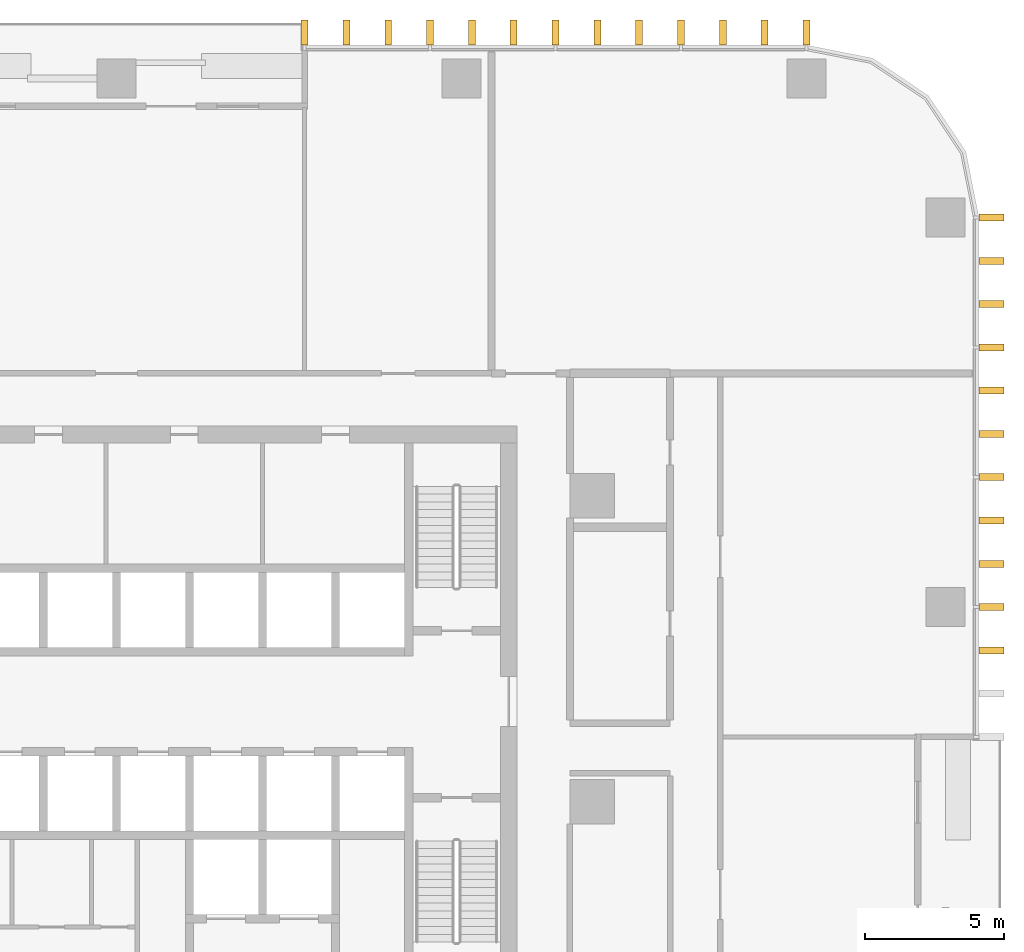
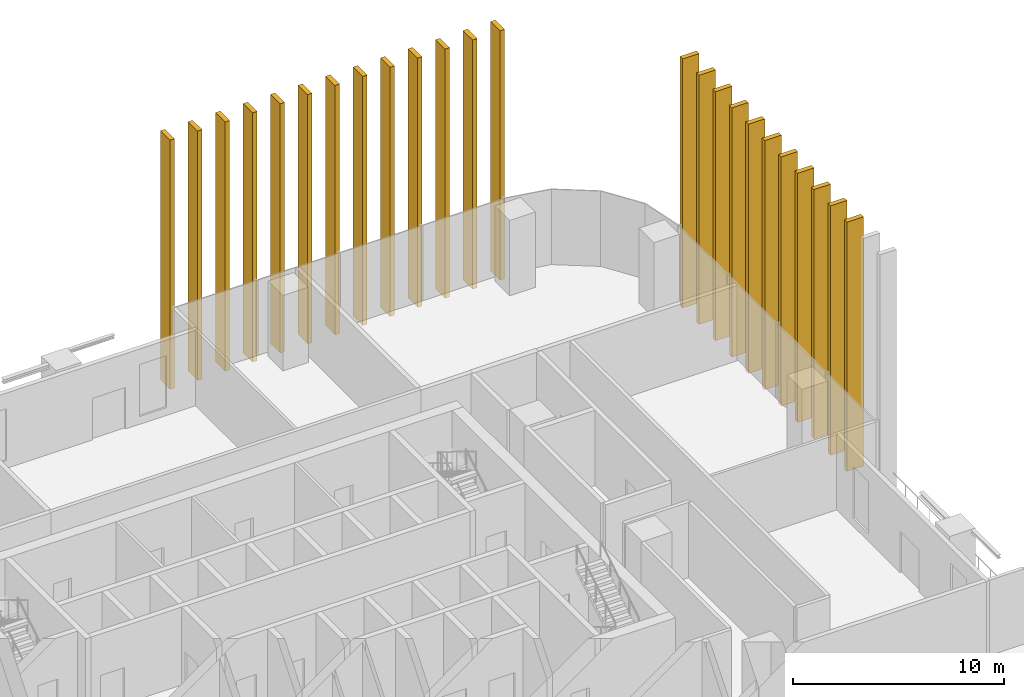
# One storey, part 17 of 17: 24 shading devices.
"""IFC4 building model written with IfcOpenShell, lengths in metres."""

from ifc_helpers import new_model, si_unit, direction, frame, origin, origin_2d, place, context, subcontext, project, spatial, rectangle, extrude, material, type_object, element, save


model = new_model("IFC4")

# Units and contexts
model_context = context("Model", 3, precision=1e-05, world=origin(), true_north=direction((0.0, 1.0)))
body_context = subcontext(model_context, "Body", "Model", "MODEL_VIEW")
ifc_project = project(units=[si_unit("LENGTHUNIT", "METRE"), si_unit("AREAUNIT", "SQUARE_METRE"), si_unit("VOLUMEUNIT", "CUBIC_METRE"), si_unit("PLANEANGLEUNIT", "RADIAN"), si_unit("MASSUNIT", "GRAM", prefix="KILO")], contexts=[model_context])

# Site, building, storey
site_placement = place(None, origin())
site = spatial("IfcSite", under=ifc_project, at=site_placement, CompositionType="ELEMENT")
building_placement = place(site_placement, origin())
building = spatial("IfcBuilding", under=site, at=building_placement, Name="Mopane Tessera Tower", CompositionType="ELEMENT")
storey_placement = place(building_placement, frame((0.0, 0.0, 31.0)))
storey = spatial("IfcBuildingStorey", under=building, at=storey_placement, Name="L05", CompositionType="ELEMENT", Elevation=31.0)

# Shading devices
ifc_material = material(Name="Glazed ceramic tile")
shading_device_type = type_object("IfcShadingDeviceType", Name="Ceramic tile fin 900 x 250 mm", PredefinedType="USERDEFINED", material=ifc_material)
for number, where, z_axis, x_axis, name in (
    (1, (31.449951171875, 5.4443359375, -0.449951171875), (0.0, 0.0, 1.0), (0.0, 1.0, 0.0), "e:fin:L05:E:5:2"),
    (2, (31.449951171875, 7.0, -0.449951171875), (0.0, 0.0, 1.0), (0.0, 1.0, 0.0), "e:fin:L05:E:6:0"),
    (3, (31.449951171875, 8.5556640625, -0.449951171875), (0.0, 0.0, 1.0), (0.0, 1.0, 0.0), "e:fin:L05:E:6:1"),
    (4, (31.449951171875, 10.111083984375, -0.449951171875), (0.0, 0.0, 1.0), (0.0, 1.0, 0.0), "e:fin:L05:E:6:2"),
    (5, (31.449951171875, 11.666748046875, -0.449951171875), (0.0, 0.0, 1.0), (0.0, 1.0, 0.0), "e:fin:L05:E:7:0"),
    (6, (31.449951171875, 13.22216796875, -0.449951171875), (0.0, 0.0, 1.0), (0.0, 1.0, 0.0), "e:fin:L05:E:7:1"),
    (7, (31.449951171875, 14.77783203125, -0.449951171875), (0.0, 0.0, 1.0), (0.0, 1.0, 0.0), "e:fin:L05:E:7:2"),
    (8, (31.449951171875, 16.333251953125, -0.449951171875), (0.0, 0.0, 1.0), (0.0, 1.0, 0.0), "e:fin:L05:E:8:0"),
    (9, (31.449951171875, 17.888916015625, -0.449951171875), (0.0, 0.0, 1.0), (0.0, 1.0, 0.0), "e:fin:L05:E:8:1"),
    (10, (31.449951171875, 19.4443359375, -0.449951171875), (0.0, 0.0, 1.0), (0.0, 1.0, 0.0), "e:fin:L05:E:8:2"),
    (11, (31.449951171875, 21.0, -0.449951171875), (0.0, 0.0, 1.0), (0.0, 1.0, 0.0), "e:fin:L05:E:8:3"),
    (12, (24.800048828125, 27.64990234375, -0.449951171875), (0.0, 0.0, 1.0), (-1.0, 0.0, 0.0), "e:fin:L05:N:0:0"),
    (13, (23.296875, 27.64990234375, -0.449951171875), (0.0, 0.0, 1.0), (-1.0, 0.0, 0.0), "e:fin:L05:N:0:1"),
    (14, (21.7939453125, 27.64990234375, -0.449951171875), (0.0, 0.0, 1.0), (-1.0, 0.0, 0.0), "e:fin:L05:N:0:2"),
    (15, (20.291015625, 27.64990234375, -0.449951171875), (0.0, 0.0, 1.0), (-1.0, 0.0, 0.0), "e:fin:L05:N:1:0"),
    (16, (18.787841796875, 27.64990234375, -0.449951171875), (0.0, 0.0, 1.0), (-1.0, 0.0, 0.0), "e:fin:L05:N:1:1"),
    (17, (17.284912109375, 27.64990234375, -0.449951171875), (0.0, 0.0, 1.0), (-1.0, 0.0, 0.0), "e:fin:L05:N:1:2"),
    (18, (15.78173828125, 27.64990234375, -0.449951171875), (0.0, 0.0, 1.0), (-1.0, 0.0, 0.0), "e:fin:L05:N:2:0"),
    (19, (14.27880859375, 27.64990234375, -0.449951171875), (0.0, 0.0, 1.0), (-1.0, 0.0, 0.0), "e:fin:L05:N:2:1"),
    (20, (12.77587890625, 27.64990234375, -0.449951171875), (0.0, 0.0, 1.0), (-1.0, 0.0, 0.0), "e:fin:L05:N:2:2"),
    (21, (11.272705078125, 27.64990234375, -0.449951171875), (0.0, 0.0, 1.0), (-1.0, 0.0, 0.0), "e:fin:L05:N:3:0"),
    (22, (9.769775390625, 27.64990234375, -0.449951171875), (0.0, 0.0, 1.0), (-1.0, 0.0, 0.0), "e:fin:L05:N:3:1"),
    (23, (8.2666015625, 27.64990234375, -0.449951171875), (0.0, 0.0, 1.0), (-1.0, 0.0, 0.0), "e:fin:L05:N:3:2"),
    (24, (6.763671875, 27.64990234375, -0.449951171875), (0.0, 0.0, 1.0), (-1.0, 0.0, 0.0), "e:fin:L05:N:3:3"),
):
    element("IfcShadingDevice", number, at=place(storey_placement, frame(where, z_axis=z_axis, x_axis=x_axis)), inside=storey, type_object=shading_device_type, Name=name, ObjectType="FIN", PredefinedType="USERDEFINED", context=body_context, shape_type="SweptSolid", body=[
        extrude(rectangle(XDim=0.25, YDim=0.89990234375, at=origin_2d()), origin(), (0.0, 0.0, 1.0), 14.39990234375),
    ])

save(model, "model.ifc")
